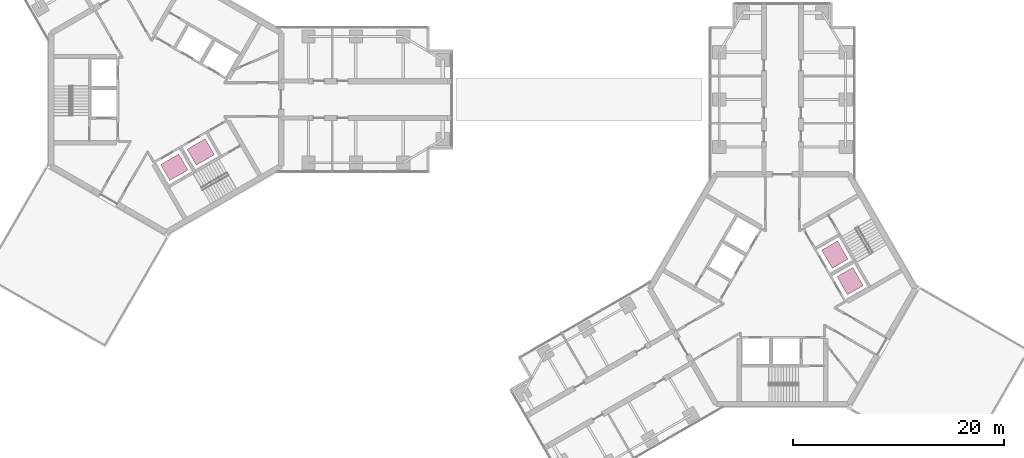
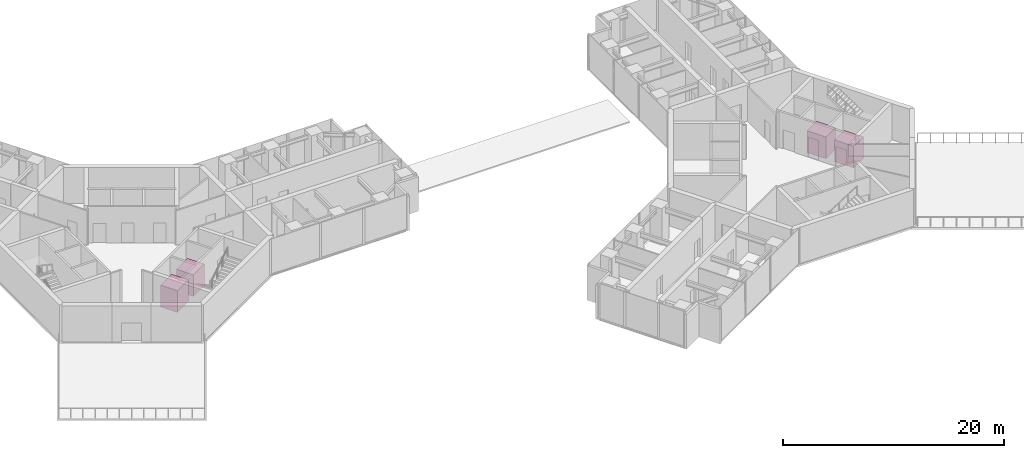
# One storey, part 18 of 18: 4 transport elements.
"""IFC4 building model written with IfcOpenShell, lengths in metres."""

from ifc_helpers import new_model, si_unit, direction, frame, origin, origin_2d, place, context, subcontext, project, spatial, rectangle, extrude, material, type_object, element, save


model = new_model("IFC4")

# Units and contexts
model_context = context("Model", 3, precision=1e-05, world=origin(), true_north=direction((0.0, 1.0)))
body_context = subcontext(model_context, "Body", "Model", "MODEL_VIEW")
ifc_project = project(units=[si_unit("LENGTHUNIT", "METRE"), si_unit("AREAUNIT", "SQUARE_METRE"), si_unit("VOLUMEUNIT", "CUBIC_METRE"), si_unit("PLANEANGLEUNIT", "RADIAN"), si_unit("MASSUNIT", "GRAM", prefix="KILO")], contexts=[model_context])

# Site, building, storey
site_placement = place(None, origin())
site = spatial("IfcSite", under=ifc_project, at=site_placement, CompositionType="ELEMENT")
building_placement = place(site_placement, origin())
building = spatial("IfcBuilding", under=site, at=building_placement, Name="Upepo Twin Towers", CompositionType="ELEMENT")
storey_placement = place(building_placement, frame((0.0, 0.0, 170.5)))
storey = spatial("IfcBuildingStorey", under=building, at=storey_placement, Name="L41", CompositionType="ELEMENT", Elevation=170.5)

# Transport elements
ifc_material = material(Name="Steel lift car", Category="steel")
transport_element_type = type_object("IfcTransportElementType", Name="Passenger lift 1600 kg", PredefinedType="ELEVATOR", material=ifc_material)
for number, where, z_axis, x_axis, name in (
    (1, (0.7666015625, -6.427734375, 0.0), (0.0, 0.0, 1.0), (0.866025403784, 0.5, 0.0), "T1 lift UL1"),
    (2, (3.278076171875, -4.977783203125, 0.0), (0.0, 0.0, 1.0), (0.866025403784, 0.5, 0.0), "T1 lift UL2"),
    (3, (64.927734375, -17.2333984375, 0.0), (0.0, 0.0, 1.0), (-0.5, 0.866025403784, 0.0), "T2 lift UL1"),
    (4, (63.477783203125, -14.721923828125, 0.0), (0.0, 0.0, 1.0), (-0.5, 0.866025403784, 0.0), "T2 lift UL2"),
):
    element("IfcTransportElement", number, at=place(storey_placement, frame(where, z_axis=z_axis, x_axis=x_axis)), inside=storey, type_object=transport_element_type, Name=name, PredefinedType="ELEVATOR", context=body_context, shape_type="SweptSolid", body=[
        extrude(rectangle(XDim=2.0, YDim=1.75, at=origin_2d()), origin(), (0.0, 0.0, 1.0), 2.39990234375),
    ])

save(model, "model.ifc")
